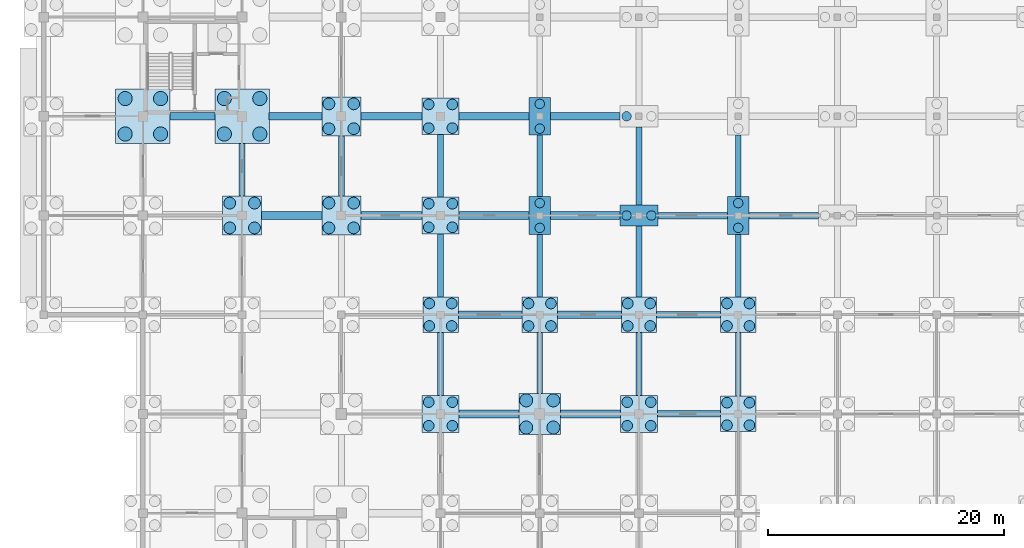
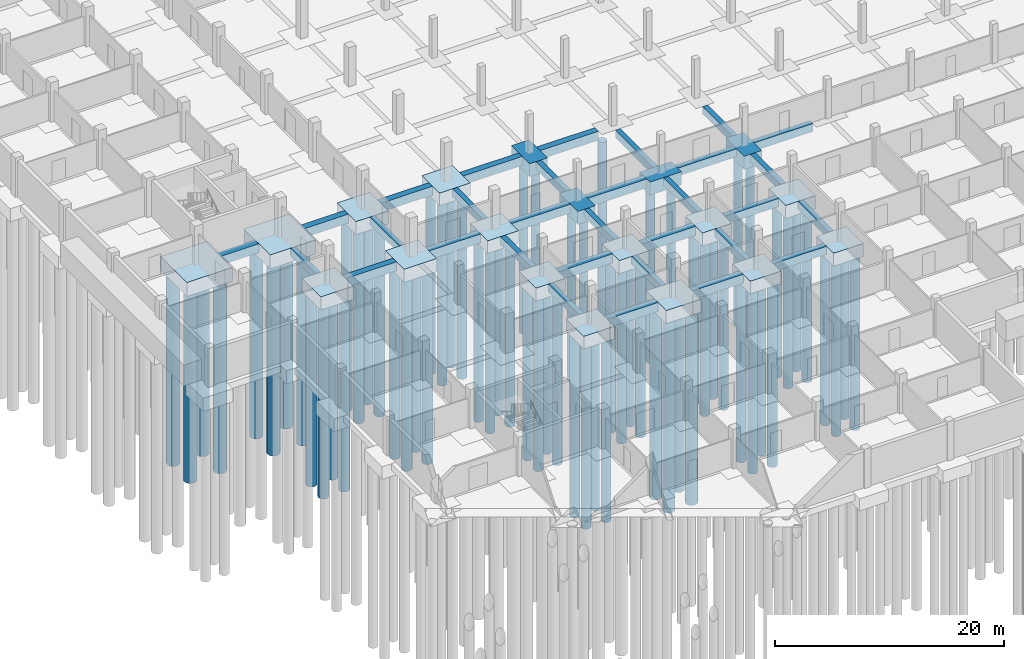
# One storey, part 3 of 43: 69 piles, 50 footings.
"""IFC4 building model written with IfcOpenShell, lengths in metres."""

from ifc_helpers import new_model, si_unit, direction, frame, origin, origin_2d, place, context, subcontext, project, spatial, rectangle, circle, extrude, material, material_profile, profile_set, type_object, element, save


model = new_model("IFC4")

# Units and contexts
model_context = context("Model", 3, precision=1e-05, world=origin(), true_north=direction((0.0, 1.0)))
body_context = subcontext(model_context, "Body", "Model", "MODEL_VIEW")
ifc_project = project(units=[si_unit("LENGTHUNIT", "METRE"), si_unit("AREAUNIT", "SQUARE_METRE"), si_unit("VOLUMEUNIT", "CUBIC_METRE"), si_unit("PLANEANGLEUNIT", "RADIAN"), si_unit("MASSUNIT", "GRAM", prefix="KILO")], contexts=[model_context])

# Site, building, storey
site_placement = place(None, origin())
site = spatial("IfcSite", under=ifc_project, at=site_placement, CompositionType="ELEMENT")
building_placement = place(site_placement, origin())
building = spatial("IfcBuilding", under=site, at=building_placement, Name="Varnapada Polytechnic", CompositionType="ELEMENT")
storey_placement = place(building_placement, frame((0.0, 0.0, -4.199951171875)))
storey = spatial("IfcBuildingStorey", under=building, at=storey_placement, Name="B1", CompositionType="ELEMENT", Elevation=-4.199951171875)

# Piles
ifc_material = material(Name="Concrete C40/50", Category="concrete")
ifc_material_profile_1 = material_profile(ifc_material, circle(Radius=0.5, at=origin_2d()), Name="BP 1000")
ifc_profile_set_1 = profile_set([ifc_material_profile_1], Name="Concrete C40/50")
pile_type_1 = type_object("IfcPileType", Name="Bored Pile BP 1000", PredefinedType="BORED", material=ifc_profile_set_1)
for number, where, z_axis, x_axis, name in (
    (1, (15.75, 49.35009765625, -1.300048828125), (0.0, 0.0, -1.0), (1.0, 0.0, 0.0), "Bored pile P-01 under CAP-02-06 (1)"),
    (2, (17.85009765625, 49.35009765625, -1.300048828125), (0.0, 0.0, -1.0), (1.0, 0.0, 0.0), "Bored pile P-01 under CAP-02-06 (2)"),
    (3, (15.75, 51.449951171875, -1.300048828125), (0.0, 0.0, -1.0), (1.0, 0.0, 0.0), "Bored pile P-01 under CAP-02-06 (3)"),
    (4, (17.85009765625, 51.449951171875, -1.300048828125), (0.0, 0.0, -1.0), (1.0, 0.0, 0.0), "Bored pile P-01 under CAP-02-06 (4)"),
    (5, (24.14990234375, 49.35009765625, -1.300048828125), (0.0, 0.0, -1.0), (1.0, 0.0, 0.0), "Bored pile P-01 under CAP-03-06 (1)"),
    (6, (26.25, 49.35009765625, -1.300048828125), (0.0, 0.0, -1.0), (1.0, 0.0, 0.0), "Bored pile P-01 under CAP-03-06 (2)"),
    (7, (24.14990234375, 51.449951171875, -1.300048828125), (0.0, 0.0, -1.0), (1.0, 0.0, 0.0), "Bored pile P-01 under CAP-03-06 (3)"),
    (8, (26.25, 51.449951171875, -1.300048828125), (0.0, 0.0, -1.0), (1.0, 0.0, 0.0), "Bored pile P-01 under CAP-03-06 (4)"),
    (9, (24.14990234375, 57.75, -1.300048828125), (0.0, 0.0, -1.0), (1.0, 0.0, 0.0), "Bored pile P-01 under CAP-03-07 (1)"),
    (10, (26.25, 57.75, -1.300048828125), (0.0, 0.0, -1.0), (1.0, 0.0, 0.0), "Bored pile P-01 under CAP-03-07 (2)"),
    (11, (24.14990234375, 59.85009765625, -1.300048828125), (0.0, 0.0, -1.0), (1.0, 0.0, 0.0), "Bored pile P-01 under CAP-03-07 (3)"),
    (12, (26.25, 59.85009765625, -1.300048828125), (0.0, 0.0, -1.0), (1.0, 0.0, 0.0), "Bored pile P-01 under CAP-03-07 (4)"),
):
    element("IfcPile", number, at=place(storey_placement, frame(where, z_axis=z_axis, x_axis=x_axis)), inside=storey, type_object=pile_type_1, Name=name, PredefinedType="BORED", context=body_context, shape_type="SweptSolid", body=[
        extrude(circle(Radius=0.5, at=origin_2d()), origin(), (0.0, 0.0, 1.0), 20.5),
    ])
ifc_material_profile_2 = material_profile(ifc_material, circle(Radius=0.550048828125, at=origin_2d()), Name="BP 1100")
ifc_profile_set_2 = profile_set([ifc_material_profile_2], Name="Concrete C40/50")
pile_type_2 = type_object("IfcPileType", Name="Bored Pile BP 1100", PredefinedType="BORED", material=ifc_profile_set_2)
for number, where, z_axis, x_axis, name in (
    (13, (40.85009765625, 32.449951171875, -1.300048828125), (0.0, 0.0, -1.0), (1.0, 0.0, 0.0), "Bored pile P-04 under CAP-05-04 (1)"),
    (14, (43.14990234375, 32.449951171875, -1.300048828125), (0.0, 0.0, -1.0), (1.0, 0.0, 0.0), "Bored pile P-04 under CAP-05-04 (2)"),
    (15, (40.85009765625, 34.75, -1.300048828125), (0.0, 0.0, -1.0), (1.0, 0.0, 0.0), "Bored pile P-04 under CAP-05-04 (3)"),
    (16, (43.14990234375, 34.75, -1.300048828125), (0.0, 0.0, -1.0), (1.0, 0.0, 0.0), "Bored pile P-04 under CAP-05-04 (4)"),
):
    element("IfcPile", number, at=place(storey_placement, frame(where, z_axis=z_axis, x_axis=x_axis)), inside=storey, type_object=pile_type_2, Name=name, PredefinedType="BORED", context=body_context, shape_type="SweptSolid", body=[
        extrude(circle(Radius=0.550048828125, at=origin_2d()), origin(), (0.0, 0.0, 1.0), 20.5),
    ])
ifc_material_profile_3 = material_profile(ifc_material, circle(Radius=0.60009765625, at=origin_2d()), Name="BP 1200")
ifc_profile_set_3 = profile_set([ifc_material_profile_3], Name="Concrete C40/50")
pile_type_3 = type_object("IfcPileType", Name="Bored Pile BP 1200", PredefinedType="BORED", material=ifc_profile_set_3)
for number, where, z_axis, x_axis, name in (
    (17, (6.89990234375, 57.300048828125, -1.400146484375), (0.0, 0.0, -1.0), (1.0, 0.0, 0.0), "Bored pile P-06 under CAP-01-07 (1)"),
    (18, (9.89990234375, 57.300048828125, -1.400146484375), (0.0, 0.0, -1.0), (1.0, 0.0, 0.0), "Bored pile P-06 under CAP-01-07 (2)"),
    (19, (6.89990234375, 60.300048828125, -1.400146484375), (0.0, 0.0, -1.0), (1.0, 0.0, 0.0), "Bored pile P-06 under CAP-01-07 (3)"),
    (20, (9.89990234375, 60.300048828125, -1.400146484375), (0.0, 0.0, -1.0), (1.0, 0.0, 0.0), "Bored pile P-06 under CAP-01-07 (4)"),
    (21, (15.300048828125, 57.300048828125, -1.400146484375), (0.0, 0.0, -1.0), (1.0, 0.0, 0.0), "Bored pile P-06 under CAP-02-07 (1)"),
    (22, (18.300048828125, 57.300048828125, -1.400146484375), (0.0, 0.0, -1.0), (1.0, 0.0, 0.0), "Bored pile P-06 under CAP-02-07 (2)"),
    (23, (15.300048828125, 60.300048828125, -1.400146484375), (0.0, 0.0, -1.0), (1.0, 0.0, 0.0), "Bored pile P-06 under CAP-02-07 (3)"),
    (24, (18.300048828125, 60.300048828125, -1.400146484375), (0.0, 0.0, -1.0), (1.0, 0.0, 0.0), "Bored pile P-06 under CAP-02-07 (4)"),
):
    element("IfcPile", number, at=place(storey_placement, frame(where, z_axis=z_axis, x_axis=x_axis)), inside=storey, type_object=pile_type_3, Name=name, PredefinedType="BORED", context=body_context, shape_type="SweptSolid", body=[
        extrude(circle(Radius=0.60009765625, at=origin_2d()), origin(), (0.0, 0.0, 1.0), 20.39990234375),
    ])
ifc_material_profile_4 = material_profile(ifc_material, circle(Radius=0.39990234375, at=origin_2d()), Name="BP 800")
ifc_profile_set_4 = profile_set([ifc_material_profile_4], Name="Concrete C40/50")
pile_type_4 = type_object("IfcPileType", Name="Bored Pile BP 800", PredefinedType="BORED", material=ifc_profile_set_4)
for number, where, z_axis, x_axis, name in (
    (25, (42.0, 49.35009765625, -1.300048828125), (0.0, 0.0, -1.0), (1.0, 0.0, 0.0), "Bored pile P-03 under CAP-05-06 (1)"),
    (26, (42.0, 51.449951171875, -1.300048828125), (0.0, 0.0, -1.0), (1.0, 0.0, 0.0), "Bored pile P-03 under CAP-05-06 (2)"),
    (27, (42.0, 57.75, -1.300048828125), (0.0, 0.0, -1.0), (1.0, 0.0, 0.0), "Bored pile P-03 under CAP-05-07 (1)"),
    (28, (42.0, 59.85009765625, -1.300048828125), (0.0, 0.0, -1.0), (1.0, 0.0, 0.0), "Bored pile P-03 under CAP-05-07 (2)"),
    (29, (49.35009765625, 50.39990234375, -1.300048828125), (0.0, 0.0, -1.0), (1.0, 0.0, 0.0), "Bored pile P-03 under CAP-06-06 (1)"),
    (30, (51.449951171875, 50.39990234375, -1.300048828125), (0.0, 0.0, -1.0), (1.0, 0.0, 0.0), "Bored pile P-03 under CAP-06-06 (2)"),
    (31, (49.35009765625, 58.800048828125, -1.300048828125), (0.0, 0.0, -1.0), (1.0, 0.0, 0.0), "Bored pile P-03 under CAP-06-07 (1)"),
    (32, (58.800048828125, 49.35009765625, -1.300048828125), (0.0, 0.0, -1.0), (1.0, 0.0, 0.0), "Bored pile P-03 under CAP-07-06 (1)"),
    (33, (58.800048828125, 51.449951171875, -1.300048828125), (0.0, 0.0, -1.0), (1.0, 0.0, 0.0), "Bored pile P-03 under CAP-07-06 (2)"),
):
    element("IfcPile", number, at=place(storey_placement, frame(where, z_axis=z_axis, x_axis=x_axis)), inside=storey, type_object=pile_type_4, Name=name, PredefinedType="BORED", context=body_context, shape_type="SweptSolid", body=[
        extrude(circle(Radius=0.39990234375, at=origin_2d()), origin(), (0.0, 0.0, 1.0), 18.5),
    ])
ifc_material_profile_5 = material_profile(ifc_material, circle(Radius=0.449951171875, at=origin_2d()), Name="BP 900")
ifc_profile_set_5 = profile_set([ifc_material_profile_5], Name="Concrete C40/50")
pile_type_5 = type_object("IfcPileType", Name="Bored Pile BP 900", PredefinedType="BORED", material=ifc_profile_set_5)
for number, where, z_axis, x_axis, name in (
    (34, (32.60009765625, 32.60009765625, -1.25), (0.0, 0.0, -1.0), (1.0, 0.0, 0.0), "Bored pile P-02 under CAP-04-04 (1)"),
    (35, (34.60009765625, 32.60009765625, -1.25), (0.0, 0.0, -1.0), (1.0, 0.0, 0.0), "Bored pile P-02 under CAP-04-04 (2)"),
    (36, (32.60009765625, 34.60009765625, -1.25), (0.0, 0.0, -1.0), (1.0, 0.0, 0.0), "Bored pile P-02 under CAP-04-04 (3)"),
    (37, (34.60009765625, 34.60009765625, -1.25), (0.0, 0.0, -1.0), (1.0, 0.0, 0.0), "Bored pile P-02 under CAP-04-04 (4)"),
):
    element("IfcPile", number, at=place(storey_placement, frame(where, z_axis=z_axis, x_axis=x_axis)), inside=storey, type_object=pile_type_5, Name=name, PredefinedType="BORED", context=body_context, shape_type="SweptSolid", body=[
        extrude(circle(Radius=0.449951171875, at=origin_2d()), origin(), (0.0, 0.0, 1.0), 19.550048828125),
    ])
for number, where, z_axis, x_axis, name in (
    (38, (32.64990234375, 41.050048828125, -1.300048828125), (0.0, 0.0, -1.0), (1.0, 0.0, 0.0), "Bored pile P-02 under CAP-04-05 (1)"),
    (39, (34.550048828125, 41.050048828125, -1.300048828125), (0.0, 0.0, -1.0), (1.0, 0.0, 0.0), "Bored pile P-02 under CAP-04-05 (2)"),
    (40, (32.64990234375, 42.949951171875, -1.300048828125), (0.0, 0.0, -1.0), (1.0, 0.0, 0.0), "Bored pile P-02 under CAP-04-05 (3)"),
    (41, (34.550048828125, 42.949951171875, -1.300048828125), (0.0, 0.0, -1.0), (1.0, 0.0, 0.0), "Bored pile P-02 under CAP-04-05 (4)"),
):
    element("IfcPile", number, at=place(storey_placement, frame(where, z_axis=z_axis, x_axis=x_axis)), inside=storey, type_object=pile_type_5, Name=name, PredefinedType="BORED", context=body_context, shape_type="SweptSolid", body=[
        extrude(circle(Radius=0.449951171875, at=origin_2d()), origin(), (0.0, 0.0, 1.0), 18.5),
    ])
for number, where, z_axis, x_axis, name in (
    (42, (32.60009765625, 49.39990234375, -1.25), (0.0, 0.0, -1.0), (1.0, 0.0, 0.0), "Bored pile P-02 under CAP-04-06 (1)"),
    (43, (34.60009765625, 49.39990234375, -1.25), (0.0, 0.0, -1.0), (1.0, 0.0, 0.0), "Bored pile P-02 under CAP-04-06 (2)"),
    (44, (32.60009765625, 51.39990234375, -1.25), (0.0, 0.0, -1.0), (1.0, 0.0, 0.0), "Bored pile P-02 under CAP-04-06 (3)"),
    (45, (34.60009765625, 51.39990234375, -1.25), (0.0, 0.0, -1.0), (1.0, 0.0, 0.0), "Bored pile P-02 under CAP-04-06 (4)"),
    (46, (32.60009765625, 57.800048828125, -1.25), (0.0, 0.0, -1.0), (1.0, 0.0, 0.0), "Bored pile P-02 under CAP-04-07 (1)"),
    (47, (34.60009765625, 57.800048828125, -1.25), (0.0, 0.0, -1.0), (1.0, 0.0, 0.0), "Bored pile P-02 under CAP-04-07 (2)"),
    (48, (32.60009765625, 59.800048828125, -1.25), (0.0, 0.0, -1.0), (1.0, 0.0, 0.0), "Bored pile P-02 under CAP-04-07 (3)"),
    (49, (34.60009765625, 59.800048828125, -1.25), (0.0, 0.0, -1.0), (1.0, 0.0, 0.0), "Bored pile P-02 under CAP-04-07 (4)"),
):
    element("IfcPile", number, at=place(storey_placement, frame(where, z_axis=z_axis, x_axis=x_axis)), inside=storey, type_object=pile_type_5, Name=name, PredefinedType="BORED", context=body_context, shape_type="SweptSolid", body=[
        extrude(circle(Radius=0.449951171875, at=origin_2d()), origin(), (0.0, 0.0, 1.0), 19.550048828125),
    ])
for number, where, z_axis, x_axis, name in (
    (50, (41.050048828125, 41.050048828125, -1.300048828125), (0.0, 0.0, -1.0), (1.0, 0.0, 0.0), "Bored pile P-02 under CAP-05-05 (1)"),
    (51, (42.949951171875, 41.050048828125, -1.300048828125), (0.0, 0.0, -1.0), (1.0, 0.0, 0.0), "Bored pile P-02 under CAP-05-05 (2)"),
    (52, (41.050048828125, 42.949951171875, -1.300048828125), (0.0, 0.0, -1.0), (1.0, 0.0, 0.0), "Bored pile P-02 under CAP-05-05 (3)"),
    (53, (42.949951171875, 42.949951171875, -1.300048828125), (0.0, 0.0, -1.0), (1.0, 0.0, 0.0), "Bored pile P-02 under CAP-05-05 (4)"),
):
    element("IfcPile", number, at=place(storey_placement, frame(where, z_axis=z_axis, x_axis=x_axis)), inside=storey, type_object=pile_type_5, Name=name, PredefinedType="BORED", context=body_context, shape_type="SweptSolid", body=[
        extrude(circle(Radius=0.449951171875, at=origin_2d()), origin(), (0.0, 0.0, 1.0), 18.5),
    ])
for number, where, z_axis, x_axis, name in (
    (54, (49.39990234375, 32.60009765625, -1.25), (0.0, 0.0, -1.0), (1.0, 0.0, 0.0), "Bored pile P-02 under CAP-06-04 (1)"),
    (55, (51.39990234375, 32.60009765625, -1.25), (0.0, 0.0, -1.0), (1.0, 0.0, 0.0), "Bored pile P-02 under CAP-06-04 (2)"),
    (56, (49.39990234375, 34.60009765625, -1.25), (0.0, 0.0, -1.0), (1.0, 0.0, 0.0), "Bored pile P-02 under CAP-06-04 (3)"),
    (57, (51.39990234375, 34.60009765625, -1.25), (0.0, 0.0, -1.0), (1.0, 0.0, 0.0), "Bored pile P-02 under CAP-06-04 (4)"),
):
    element("IfcPile", number, at=place(storey_placement, frame(where, z_axis=z_axis, x_axis=x_axis)), inside=storey, type_object=pile_type_5, Name=name, PredefinedType="BORED", context=body_context, shape_type="SweptSolid", body=[
        extrude(circle(Radius=0.449951171875, at=origin_2d()), origin(), (0.0, 0.0, 1.0), 19.550048828125),
    ])
for number, where, z_axis, x_axis, name in (
    (58, (49.449951171875, 41.050048828125, -1.300048828125), (0.0, 0.0, -1.0), (1.0, 0.0, 0.0), "Bored pile P-02 under CAP-06-05 (1)"),
    (59, (51.35009765625, 41.050048828125, -1.300048828125), (0.0, 0.0, -1.0), (1.0, 0.0, 0.0), "Bored pile P-02 under CAP-06-05 (2)"),
    (60, (49.449951171875, 42.949951171875, -1.300048828125), (0.0, 0.0, -1.0), (1.0, 0.0, 0.0), "Bored pile P-02 under CAP-06-05 (3)"),
    (61, (51.35009765625, 42.949951171875, -1.300048828125), (0.0, 0.0, -1.0), (1.0, 0.0, 0.0), "Bored pile P-02 under CAP-06-05 (4)"),
    (62, (57.85009765625, 32.64990234375, -1.300048828125), (0.0, 0.0, -1.0), (1.0, 0.0, 0.0), "Bored pile P-02 under CAP-07-04 (1)"),
    (63, (59.75, 32.64990234375, -1.300048828125), (0.0, 0.0, -1.0), (1.0, 0.0, 0.0), "Bored pile P-02 under CAP-07-04 (2)"),
    (64, (57.85009765625, 34.550048828125, -1.300048828125), (0.0, 0.0, -1.0), (1.0, 0.0, 0.0), "Bored pile P-02 under CAP-07-04 (3)"),
    (65, (59.75, 34.550048828125, -1.300048828125), (0.0, 0.0, -1.0), (1.0, 0.0, 0.0), "Bored pile P-02 under CAP-07-04 (4)"),
    (66, (57.85009765625, 41.050048828125, -1.300048828125), (0.0, 0.0, -1.0), (1.0, 0.0, 0.0), "Bored pile P-02 under CAP-07-05 (1)"),
    (67, (59.75, 41.050048828125, -1.300048828125), (0.0, 0.0, -1.0), (1.0, 0.0, 0.0), "Bored pile P-02 under CAP-07-05 (2)"),
    (68, (57.85009765625, 42.949951171875, -1.300048828125), (0.0, 0.0, -1.0), (1.0, 0.0, 0.0), "Bored pile P-02 under CAP-07-05 (3)"),
    (69, (59.75, 42.949951171875, -1.300048828125), (0.0, 0.0, -1.0), (1.0, 0.0, 0.0), "Bored pile P-02 under CAP-07-05 (4)"),
):
    element("IfcPile", number, at=place(storey_placement, frame(where, z_axis=z_axis, x_axis=x_axis)), inside=storey, type_object=pile_type_5, Name=name, PredefinedType="BORED", context=body_context, shape_type="SweptSolid", body=[
        extrude(circle(Radius=0.449951171875, at=origin_2d()), origin(), (0.0, 0.0, 1.0), 18.5),
    ])

# Footings
footing_type_1 = type_object("IfcFootingType", Name="Footing GB-02", PredefinedType="FOOTING_BEAM", material=ifc_material)
footing_1_placement = place(storey_placement, frame((16.800048828125, 54.27490234375, -0.80029296875), z_axis=(0.0, 0.0, 1.0), x_axis=(0.0, 1.0, 0.0)))
element("IfcFooting", 70, at=footing_1_placement, inside=storey, type_object=footing_type_1, Name="Ground footing beam GB-02 Y 7-8", PredefinedType="FOOTING_BEAM", context=body_context, shape_type="SweptSolid", body=[
    extrude(rectangle(XDim=4.449951171875, YDim=0.5, at=origin_2d()), origin(), (0.0, 0.0, 1.0), 0.800048828125),
])
footing_2_placement = place(storey_placement, frame((25.199951171875, 54.60009765625, -0.80029296875), z_axis=(0.0, 0.0, 1.0), x_axis=(0.0, 1.0, 0.0)))
element("IfcFooting", 71, at=footing_2_placement, inside=storey, type_object=footing_type_1, Name="Ground footing beam GB-02 Y 7-8", PredefinedType="FOOTING_BEAM", context=body_context, shape_type="SweptSolid", body=[
    extrude(rectangle(XDim=5.10009765625, YDim=0.5, at=origin_2d()), origin(), (0.0, 0.0, 1.0), 0.800048828125),
])
for number, where, z_axis, x_axis, name in (
    (72, (33.60009765625, 37.824951171875, -0.80029296875), (0.0, 0.0, 1.0), (0.0, 1.0, 0.0), "Ground footing beam GB-02 Y 5-6"),
    (73, (33.60009765625, 46.175048828125, -0.80029296875), (0.0, 0.0, 1.0), (0.0, 1.0, 0.0), "Ground footing beam GB-02 Y 6-7"),
):
    element("IfcFooting", number, at=place(storey_placement, frame(where, z_axis=z_axis, x_axis=x_axis)), inside=storey, type_object=footing_type_1, Name=name, PredefinedType="FOOTING_BEAM", context=body_context, shape_type="SweptSolid", body=[
        extrude(rectangle(XDim=5.35009765625, YDim=0.5, at=origin_2d()), origin(), (0.0, 0.0, 1.0), 0.800048828125),
    ])
footing_3_placement = place(storey_placement, frame((33.60009765625, 54.60009765625, -0.80029296875), z_axis=(0.0, 0.0, 1.0), x_axis=(0.0, 1.0, 0.0)))
element("IfcFooting", 74, at=footing_3_placement, inside=storey, type_object=footing_type_1, Name="Ground footing beam GB-02 Y 7-8", PredefinedType="FOOTING_BEAM", context=body_context, shape_type="SweptSolid", body=[
    extrude(rectangle(XDim=5.300048828125, YDim=0.5, at=origin_2d()), origin(), (0.0, 0.0, 1.0), 0.800048828125),
])
footing_4_placement = place(storey_placement, frame((42.0, 37.925048828125, -0.80029296875), z_axis=(0.0, 0.0, 1.0), x_axis=(0.0, 1.0, 0.0)))
element("IfcFooting", 75, at=footing_4_placement, inside=storey, type_object=footing_type_1, Name="Ground footing beam GB-02 Y 5-6", PredefinedType="FOOTING_BEAM", context=body_context, shape_type="SweptSolid", body=[
    extrude(rectangle(XDim=5.14990234375, YDim=0.5, at=origin_2d()), origin(), (0.0, 0.0, 1.0), 0.800048828125),
])
footing_5_placement = place(storey_placement, frame((42.0, 46.14990234375, -0.80029296875), z_axis=(0.0, 0.0, 1.0), x_axis=(0.0, 1.0, 0.0)))
element("IfcFooting", 76, at=footing_5_placement, inside=storey, type_object=footing_type_1, Name="Ground footing beam GB-02 Y 6-7", PredefinedType="FOOTING_BEAM", context=body_context, shape_type="SweptSolid", body=[
    extrude(rectangle(XDim=5.300048828125, YDim=0.5, at=origin_2d()), origin(), (0.0, 0.0, 1.0), 0.800048828125),
])
footing_6_placement = place(storey_placement, frame((42.0, 54.60009765625, -0.80029296875), z_axis=(0.0, 0.0, 1.0), x_axis=(0.0, 1.0, 0.0)))
element("IfcFooting", 77, at=footing_6_placement, inside=storey, type_object=footing_type_1, Name="Ground footing beam GB-02 Y 7-8", PredefinedType="FOOTING_BEAM", context=body_context, shape_type="SweptSolid", body=[
    extrude(rectangle(XDim=5.199951171875, YDim=0.5, at=origin_2d()), origin(), (0.0, 0.0, 1.0), 0.800048828125),
])
footing_7_placement = place(storey_placement, frame((50.39990234375, 37.824951171875, -0.80029296875), z_axis=(0.0, 0.0, 1.0), x_axis=(0.0, 1.0, 0.0)))
element("IfcFooting", 78, at=footing_7_placement, inside=storey, type_object=footing_type_1, Name="Ground footing beam GB-02 Y 5-6", PredefinedType="FOOTING_BEAM", context=body_context, shape_type="SweptSolid", body=[
    extrude(rectangle(XDim=5.35009765625, YDim=0.5, at=origin_2d()), origin(), (0.0, 0.0, 1.0), 0.800048828125),
])
footing_8_placement = place(storey_placement, frame((50.39990234375, 46.5, -0.80029296875), z_axis=(0.0, 0.0, 1.0), x_axis=(0.0, 1.0, 0.0)))
element("IfcFooting", 79, at=footing_8_placement, inside=storey, type_object=footing_type_1, Name="Ground footing beam GB-02 Y 6-7", PredefinedType="FOOTING_BEAM", context=body_context, shape_type="SweptSolid", body=[
    extrude(rectangle(XDim=6.0, YDim=0.5, at=origin_2d()), origin(), (0.0, 0.0, 1.0), 0.800048828125),
])
footing_9_placement = place(storey_placement, frame((50.39990234375, 54.60009765625, -0.80029296875), z_axis=(0.0, 0.0, 1.0), x_axis=(0.0, 1.0, 0.0)))
element("IfcFooting", 80, at=footing_9_placement, inside=storey, type_object=footing_type_1, Name="Ground footing beam GB-02 Y 7-8", PredefinedType="FOOTING_BEAM", context=body_context, shape_type="SweptSolid", body=[
    extrude(rectangle(XDim=6.60009765625, YDim=0.5, at=origin_2d()), origin(), (0.0, 0.0, 1.0), 0.800048828125),
])
footing_10_placement = place(storey_placement, frame((58.800048828125, 37.800048828125, -0.80029296875), z_axis=(0.0, 0.0, 1.0), x_axis=(0.0, 1.0, 0.0)))
element("IfcFooting", 81, at=footing_10_placement, inside=storey, type_object=footing_type_1, Name="Ground footing beam GB-02 Y 5-6", PredefinedType="FOOTING_BEAM", context=body_context, shape_type="SweptSolid", body=[
    extrude(rectangle(XDim=5.39990234375, YDim=0.5, at=origin_2d()), origin(), (0.0, 0.0, 1.0), 0.800048828125),
])
footing_11_placement = place(storey_placement, frame((58.800048828125, 46.14990234375, -0.80029296875), z_axis=(0.0, 0.0, 1.0), x_axis=(0.0, 1.0, 0.0)))
element("IfcFooting", 82, at=footing_11_placement, inside=storey, type_object=footing_type_1, Name="Ground footing beam GB-02 Y 6-7", PredefinedType="FOOTING_BEAM", context=body_context, shape_type="SweptSolid", body=[
    extrude(rectangle(XDim=5.300048828125, YDim=0.5, at=origin_2d()), origin(), (0.0, 0.0, 1.0), 0.800048828125),
])
footing_12_placement = place(storey_placement, frame((58.800048828125, 54.60009765625, -0.80029296875), z_axis=(0.0, 0.0, 1.0), x_axis=(0.0, 1.0, 0.0)))
element("IfcFooting", 83, at=footing_12_placement, inside=storey, type_object=footing_type_1, Name="Ground footing beam GB-02 Y 7-8", PredefinedType="FOOTING_BEAM", context=body_context, shape_type="SweptSolid", body=[
    extrude(rectangle(XDim=5.199951171875, YDim=0.5, at=origin_2d()), origin(), (0.0, 0.0, 1.0), 0.800048828125),
])
footing_type_2 = type_object("IfcFootingType", Name="Footing GB-03", PredefinedType="FOOTING_BEAM", material=ifc_material)
footing_13_placement = place(storey_placement, frame((12.60009765625, 58.800048828125, -0.9501953125), z_axis=(0.0, 0.0, 1.0), x_axis=(1.0, 0.0, 0.0)))
element("IfcFooting", 84, at=footing_13_placement, inside=storey, type_object=footing_type_2, Name="Ground footing beam GB-03 X 2-3", PredefinedType="FOOTING_BEAM", context=body_context, shape_type="SweptSolid", body=[
    extrude(rectangle(XDim=3.800048828125, YDim=0.64990234375, at=origin_2d()), origin(), (0.0, 0.0, 1.0), 0.949951171875),
])
footing_14_placement = place(storey_placement, frame((21.0, 50.39990234375, -0.9501953125), z_axis=(0.0, 0.0, 1.0), x_axis=(1.0, 0.0, 0.0)))
element("IfcFooting", 85, at=footing_14_placement, inside=storey, type_object=footing_type_2, Name="Ground footing beam GB-03 X 3-4", PredefinedType="FOOTING_BEAM", context=body_context, shape_type="SweptSolid", body=[
    extrude(rectangle(XDim=5.10009765625, YDim=0.64990234375, at=origin_2d()), origin(), (0.0, 0.0, 1.0), 0.949951171875),
])
footing_15_placement = place(storey_placement, frame((21.324951171875, 58.800048828125, -0.9501953125), z_axis=(0.0, 0.0, 1.0), x_axis=(1.0, 0.0, 0.0)))
element("IfcFooting", 86, at=footing_15_placement, inside=storey, type_object=footing_type_2, Name="Ground footing beam GB-03 X 3-4", PredefinedType="FOOTING_BEAM", context=body_context, shape_type="SweptSolid", body=[
    extrude(rectangle(XDim=4.449951171875, YDim=0.64990234375, at=origin_2d()), origin(), (0.0, 0.0, 1.0), 0.949951171875),
])
for number, where, z_axis, x_axis, name in (
    (87, (29.449951171875, 50.39990234375, -0.9501953125), (0.0, 0.0, 1.0), (1.0, 0.0, 0.0), "Ground footing beam GB-03 X 4-5"),
    (88, (29.449951171875, 58.800048828125, -0.9501953125), (0.0, 0.0, 1.0), (1.0, 0.0, 0.0), "Ground footing beam GB-03 X 4-5"),
):
    element("IfcFooting", number, at=place(storey_placement, frame(where, z_axis=z_axis, x_axis=x_axis)), inside=storey, type_object=footing_type_2, Name=name, PredefinedType="FOOTING_BEAM", context=body_context, shape_type="SweptSolid", body=[
        extrude(rectangle(XDim=5.199951171875, YDim=0.64990234375, at=origin_2d()), origin(), (0.0, 0.0, 1.0), 0.949951171875),
    ])
footing_16_placement = place(storey_placement, frame((37.699951171875, 33.60009765625, -0.9501953125), z_axis=(0.0, 0.0, 1.0), x_axis=(1.0, 0.0, 0.0)))
element("IfcFooting", 89, at=footing_16_placement, inside=storey, type_object=footing_type_2, Name="Ground footing beam GB-03 X 5-6", PredefinedType="FOOTING_BEAM", context=body_context, shape_type="SweptSolid", body=[
    extrude(rectangle(XDim=5.10009765625, YDim=0.64990234375, at=origin_2d()), origin(), (0.0, 0.0, 1.0), 0.949951171875),
])
footing_17_placement = place(storey_placement, frame((37.800048828125, 42.0, -0.9501953125), z_axis=(0.0, 0.0, 1.0), x_axis=(1.0, 0.0, 0.0)))
element("IfcFooting", 90, at=footing_17_placement, inside=storey, type_object=footing_type_2, Name="Ground footing beam GB-03 X 5-6", PredefinedType="FOOTING_BEAM", context=body_context, shape_type="SweptSolid", body=[
    extrude(rectangle(XDim=5.39990234375, YDim=0.64990234375, at=origin_2d()), origin(), (0.0, 0.0, 1.0), 0.949951171875),
])
for number, where, z_axis, x_axis, name in (
    (91, (38.125, 50.39990234375, -0.9501953125), (0.0, 0.0, 1.0), (1.0, 0.0, 0.0), "Ground footing beam GB-03 X 5-6"),
    (92, (38.125, 58.800048828125, -0.9501953125), (0.0, 0.0, 1.0), (1.0, 0.0, 0.0), "Ground footing beam GB-03 X 5-6"),
):
    element("IfcFooting", number, at=place(storey_placement, frame(where, z_axis=z_axis, x_axis=x_axis)), inside=storey, type_object=footing_type_2, Name=name, PredefinedType="FOOTING_BEAM", context=body_context, shape_type="SweptSolid", body=[
        extrude(rectangle(XDim=5.949951171875, YDim=0.64990234375, at=origin_2d()), origin(), (0.0, 0.0, 1.0), 0.949951171875),
    ])
footing_18_placement = place(storey_placement, frame((46.300048828125, 33.60009765625, -0.9501953125), z_axis=(0.0, 0.0, 1.0), x_axis=(1.0, 0.0, 0.0)))
element("IfcFooting", 93, at=footing_18_placement, inside=storey, type_object=footing_type_2, Name="Ground footing beam GB-03 X 6-7", PredefinedType="FOOTING_BEAM", context=body_context, shape_type="SweptSolid", body=[
    extrude(rectangle(XDim=5.10009765625, YDim=0.64990234375, at=origin_2d()), origin(), (0.0, 0.0, 1.0), 0.949951171875),
])
footing_19_placement = place(storey_placement, frame((46.199951171875, 42.0, -0.9501953125), z_axis=(0.0, 0.0, 1.0), x_axis=(1.0, 0.0, 0.0)))
element("IfcFooting", 94, at=footing_19_placement, inside=storey, type_object=footing_type_2, Name="Ground footing beam GB-03 X 6-7", PredefinedType="FOOTING_BEAM", context=body_context, shape_type="SweptSolid", body=[
    extrude(rectangle(XDim=5.39990234375, YDim=0.64990234375, at=origin_2d()), origin(), (0.0, 0.0, 1.0), 0.949951171875),
])
for number, where, z_axis, x_axis, name in (
    (95, (45.85009765625, 50.39990234375, -0.9501953125), (0.0, 0.0, 1.0), (1.0, 0.0, 0.0), "Ground footing beam GB-03 X 6-7"),
    (96, (45.85009765625, 58.800048828125, -0.9501953125), (0.0, 0.0, 1.0), (1.0, 0.0, 0.0), "Ground footing beam GB-03 X 6-7"),
):
    element("IfcFooting", number, at=place(storey_placement, frame(where, z_axis=z_axis, x_axis=x_axis)), inside=storey, type_object=footing_type_2, Name=name, PredefinedType="FOOTING_BEAM", context=body_context, shape_type="SweptSolid", body=[
        extrude(rectangle(XDim=5.89990234375, YDim=0.64990234375, at=origin_2d()), origin(), (0.0, 0.0, 1.0), 0.949951171875),
    ])
footing_type_3 = type_object("IfcFootingType", Name="Footing GB-04", PredefinedType="FOOTING_BEAM", material=ifc_material)
footing_20_placement = place(storey_placement, frame((54.625, 33.60009765625, -0.85009765625), z_axis=(0.0, 0.0, 1.0), x_axis=(1.0, 0.0, 0.0)))
element("IfcFooting", 97, at=footing_20_placement, inside=storey, type_object=footing_type_3, Name="Ground footing beam GB-04 X 7-8", PredefinedType="FOOTING_BEAM", context=body_context, shape_type="SweptSolid", body=[
    extrude(rectangle(XDim=5.35009765625, YDim=0.550048828125, at=origin_2d()), origin(), (0.0, 0.0, 1.0), 0.85009765625),
])
footing_21_placement = place(storey_placement, frame((54.60009765625, 42.0, -0.85009765625), z_axis=(0.0, 0.0, 1.0), x_axis=(1.0, 0.0, 0.0)))
element("IfcFooting", 98, at=footing_21_placement, inside=storey, type_object=footing_type_3, Name="Ground footing beam GB-04 X 7-8", PredefinedType="FOOTING_BEAM", context=body_context, shape_type="SweptSolid", body=[
    extrude(rectangle(XDim=5.39990234375, YDim=0.550048828125, at=origin_2d()), origin(), (0.0, 0.0, 1.0), 0.85009765625),
])
for number, where, z_axis, x_axis, name in (
    (99, (54.949951171875, 50.39990234375, -0.85009765625), (0.0, 0.0, 1.0), (1.0, 0.0, 0.0), "Ground footing beam GB-04 X 7-8"),
    (100, (62.64990234375, 50.39990234375, -0.85009765625), (0.0, 0.0, 1.0), (1.0, 0.0, 0.0), "Ground footing beam GB-04 X 8-9"),
):
    element("IfcFooting", number, at=place(storey_placement, frame(where, z_axis=z_axis, x_axis=x_axis)), inside=storey, type_object=footing_type_3, Name=name, PredefinedType="FOOTING_BEAM", context=body_context, shape_type="SweptSolid", body=[
        extrude(rectangle(XDim=5.89990234375, YDim=0.550048828125, at=origin_2d()), origin(), (0.0, 0.0, 1.0), 0.85009765625),
    ])
footing_type_4 = type_object("IfcFootingType", Name="Footing PC-02", PredefinedType="PILE_CAP", material=ifc_material)
for number, where, z_axis, x_axis, name in (
    (101, (16.800048828125, 50.39990234375, -1.39990234375), (0.0, 0.0, 1.0), (1.0, 0.0, 0.0), "Pile cap PC-02 at grid 3/7"),
    (102, (25.199951171875, 50.39990234375, -1.39990234375), (0.0, 0.0, 1.0), (1.0, 0.0, 0.0), "Pile cap PC-02 at grid 4/7"),
    (103, (25.199951171875, 58.800048828125, -1.39990234375), (0.0, 0.0, 1.0), (1.0, 0.0, 0.0), "Pile cap PC-02 at grid 4/8"),
):
    element("IfcFooting", number, at=place(storey_placement, frame(where, z_axis=z_axis, x_axis=x_axis)), inside=storey, type_object=footing_type_4, Name=name, PredefinedType="PILE_CAP", context=body_context, shape_type="SweptSolid", body=[
        extrude(rectangle(XDim=3.300048828125, YDim=3.300048828125, at=origin_2d()), origin(), (0.0, 0.0, 1.0), 1.39990234375),
    ])
footing_type_5 = type_object("IfcFootingType", Name="Footing PC-03", PredefinedType="PILE_CAP", material=ifc_material)
for number, where, z_axis, x_axis, name in (
    (104, (33.60009765625, 42.0, -1.39990234375), (0.0, 0.0, 1.0), (1.0, 0.0, 0.0), "Pile cap PC-03 at grid 5/6"),
    (105, (42.0, 42.0, -1.39990234375), (0.0, 0.0, 1.0), (1.0, 0.0, 0.0), "Pile cap PC-03 at grid 6/6"),
    (106, (50.39990234375, 42.0, -1.39990234375), (0.0, 0.0, 1.0), (1.0, 0.0, 0.0), "Pile cap PC-03 at grid 7/6"),
    (107, (58.800048828125, 33.60009765625, -1.39990234375), (0.0, 0.0, 1.0), (1.0, 0.0, 0.0), "Pile cap PC-03 at grid 8/5"),
    (108, (58.800048828125, 42.0, -1.39990234375), (0.0, 0.0, 1.0), (1.0, 0.0, 0.0), "Pile cap PC-03 at grid 8/6"),
):
    element("IfcFooting", number, at=place(storey_placement, frame(where, z_axis=z_axis, x_axis=x_axis)), inside=storey, type_object=footing_type_5, Name=name, PredefinedType="PILE_CAP", context=body_context, shape_type="SweptSolid", body=[
        extrude(rectangle(XDim=3.0, YDim=3.0, at=origin_2d()), origin(), (0.0, 0.0, 1.0), 1.39990234375),
    ])
footing_type_6 = type_object("IfcFootingType", Name="Footing PC-04", PredefinedType="PILE_CAP", material=ifc_material)
footing_22_placement = place(storey_placement, frame((50.39990234375, 50.39990234375, -1.39990234375), z_axis=(0.0, 0.0, 1.0), x_axis=(1.0, 0.0, 0.0)))
element("IfcFooting", 109, at=footing_22_placement, inside=storey, type_object=footing_type_6, Name="Pile cap PC-04 at grid 7/7", PredefinedType="PILE_CAP", context=body_context, shape_type="SweptSolid", body=[
    extrude(rectangle(XDim=3.199951171875, YDim=1.800048828125, at=origin_2d()), origin(), (0.0, 0.0, 1.0), 1.39990234375),
])
footing_type_7 = type_object("IfcFootingType", Name="Footing PC-05", PredefinedType="PILE_CAP", material=ifc_material)
for number, where, z_axis, x_axis, name in (
    (110, (42.0, 50.39990234375, -1.39990234375), (0.0, 0.0, 1.0), (1.0, 0.0, 0.0), "Pile cap PC-05 at grid 6/7"),
    (111, (42.0, 58.800048828125, -1.39990234375), (0.0, 0.0, 1.0), (1.0, 0.0, 0.0), "Pile cap PC-05 at grid 6/8"),
    (112, (58.800048828125, 50.39990234375, -1.39990234375), (0.0, 0.0, 1.0), (1.0, 0.0, 0.0), "Pile cap PC-05 at grid 8/7"),
):
    element("IfcFooting", number, at=place(storey_placement, frame(where, z_axis=z_axis, x_axis=x_axis)), inside=storey, type_object=footing_type_7, Name=name, PredefinedType="PILE_CAP", context=body_context, shape_type="SweptSolid", body=[
        extrude(rectangle(XDim=1.800048828125, YDim=3.199951171875, at=origin_2d()), origin(), (0.0, 0.0, 1.0), 1.39990234375),
    ])
footing_type_8 = type_object("IfcFootingType", Name="Footing PC-07", PredefinedType="PILE_CAP", material=ifc_material)
footing_23_placement = place(storey_placement, frame((42.0, 33.60009765625, -1.39990234375), z_axis=(0.0, 0.0, 1.0), x_axis=(1.0, 0.0, 0.0)))
element("IfcFooting", 113, at=footing_23_placement, inside=storey, type_object=footing_type_8, Name="Pile cap PC-07 at grid 6/5", PredefinedType="PILE_CAP", context=body_context, shape_type="SweptSolid", body=[
    extrude(rectangle(XDim=3.5, YDim=3.5, at=origin_2d()), origin(), (0.0, 0.0, 1.0), 1.39990234375),
])
footing_type_9 = type_object("IfcFootingType", Name="Footing PC-08", PredefinedType="PILE_CAP", material=ifc_material)
for number, where, z_axis, x_axis, name in (
    (114, (33.60009765625, 33.60009765625, -1.35009765625), (0.0, 0.0, 1.0), (1.0, 0.0, 0.0), "Pile cap PC-08 at grid 5/5"),
    (115, (33.60009765625, 50.39990234375, -1.35009765625), (0.0, 0.0, 1.0), (1.0, 0.0, 0.0), "Pile cap PC-08 at grid 5/7"),
    (116, (33.60009765625, 58.800048828125, -1.35009765625), (0.0, 0.0, 1.0), (1.0, 0.0, 0.0), "Pile cap PC-08 at grid 5/8"),
    (117, (50.39990234375, 33.60009765625, -1.35009765625), (0.0, 0.0, 1.0), (1.0, 0.0, 0.0), "Pile cap PC-08 at grid 7/5"),
):
    element("IfcFooting", number, at=place(storey_placement, frame(where, z_axis=z_axis, x_axis=x_axis)), inside=storey, type_object=footing_type_9, Name=name, PredefinedType="PILE_CAP", context=body_context, shape_type="SweptSolid", body=[
        extrude(rectangle(XDim=3.10009765625, YDim=3.10009765625, at=origin_2d()), origin(), (0.0, 0.0, 1.0), 1.35009765625),
    ])
footing_type_10 = type_object("IfcFootingType", Name="Footing PC-13", PredefinedType="PILE_CAP", material=ifc_material)
for number, where, z_axis, x_axis, name in (
    (118, (8.39990234375, 58.800048828125, -1.5), (0.0, 0.0, 1.0), (1.0, 0.0, 0.0), "Pile cap PC-13 at grid 2/8"),
    (119, (16.800048828125, 58.800048828125, -1.5), (0.0, 0.0, 1.0), (1.0, 0.0, 0.0), "Pile cap PC-13 at grid 3/8"),
):
    element("IfcFooting", number, at=place(storey_placement, frame(where, z_axis=z_axis, x_axis=x_axis)), inside=storey, type_object=footing_type_10, Name=name, PredefinedType="PILE_CAP", context=body_context, shape_type="SweptSolid", body=[
        extrude(rectangle(XDim=4.60009765625, YDim=4.60009765625, at=origin_2d()), origin(), (0.0, 0.0, 1.0), 1.5),
    ])

save(model, "model.ifc")
